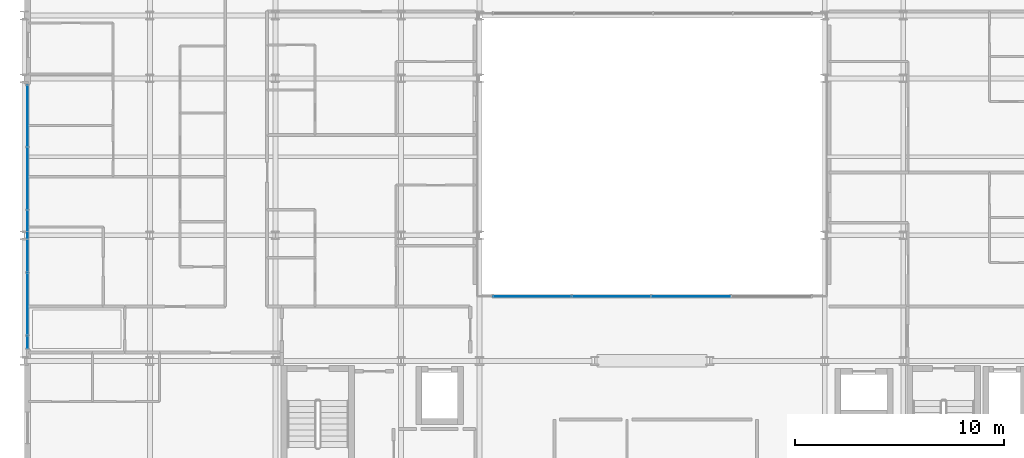
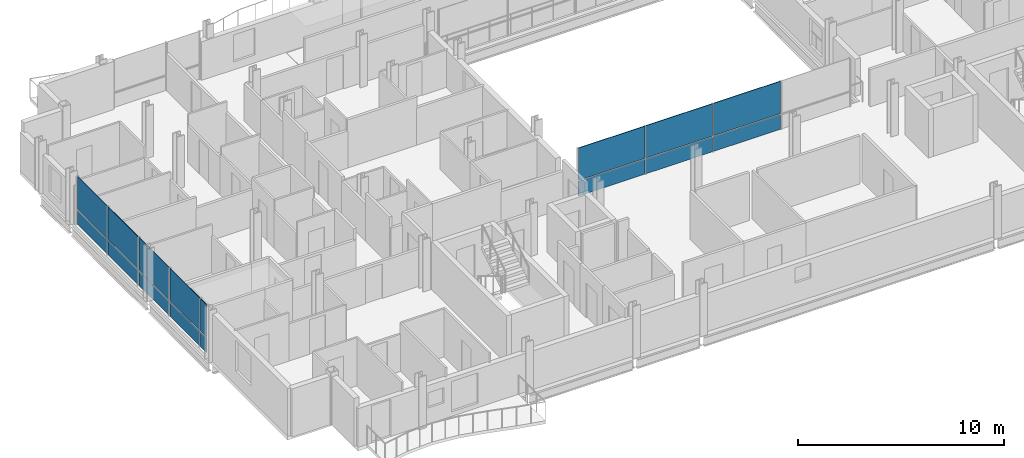
# One storey, part 26 of 40: 16 plates, 2 elements without a shape of their own.
"""IFC4 building model written with IfcOpenShell, lengths in metres."""

from ifc_helpers import new_model, si_unit, direction, frame, origin, origin_2d, place, context, subcontext, project, spatial, rectangle, extrude, material, layer, layer_set, type_object, element, aggregate, save


model = new_model("IFC4")

# Units and contexts
model_context = context("Model", 3, precision=1e-05, world=origin(), true_north=direction((0.0, 1.0)))
body_context = subcontext(model_context, "Body", "Model", "MODEL_VIEW")
ifc_project = project(units=[si_unit("LENGTHUNIT", "METRE"), si_unit("AREAUNIT", "SQUARE_METRE"), si_unit("VOLUMEUNIT", "CUBIC_METRE"), si_unit("PLANEANGLEUNIT", "RADIAN"), si_unit("MASSUNIT", "GRAM", prefix="KILO")], contexts=[model_context])

# Site, building, storey
site_placement = place(None, origin())
site = spatial("IfcSite", under=ifc_project, at=site_placement, CompositionType="ELEMENT")
building_placement = place(site_placement, origin())
building = spatial("IfcBuilding", under=site, at=building_placement, Name="Brevholm Reach", CompositionType="ELEMENT")
storey_placement = place(building_placement, frame((0.0, 0.0, 131.39990234375)))
storey = spatial("IfcBuildingStorey", under=building, at=storey_placement, Name="L39", CompositionType="ELEMENT", Elevation=131.39990234375)

# Curtain wall, plates
ifc_material_1 = material(Name="Dark Anodised Aluminium 6063-T6 and Solar-Control Glass", Category="aluminium")
ifc_layer_1 = layer(ifc_material_1, 0.14990234375)
ifc_layer_set_1 = layer_set([ifc_layer_1], Name="Dark Anodised Aluminium 6063-T6 and Solar-Control Glass")
curtain_wall_type_1 = type_object("IfcCurtainWallType", Name="CW-01", PredefinedType="NOTDEFINED", material=ifc_layer_set_1)
curtain_wall_1_placement = place(storey_placement, origin())
curtain_wall_1 = element("IfcCurtainWall", 1, at=curtain_wall_1_placement, inside=storey, type_object=curtain_wall_type_1, Name="L39 Curtain Wall CW-01", PredefinedType="NOTDEFINED")
ifc_material_2 = material(Name="Dark Solar-Control Double-Glazed IGU Glass", Category="glass")
ifc_layer_2 = layer(ifc_material_2, 0.028076171875)
ifc_layer_set_2 = layer_set([ifc_layer_2], Name="Dark Solar-Control Double-Glazed IGU Glass")
plate_type_1 = type_object("IfcPlateType", Name="CWP-GLZ-28", PredefinedType="CURTAIN_PANEL", material=ifc_layer_set_2)
plate_1_placement = place(storey_placement, frame((0.14990234375, 21.703857421875, 0.0), z_axis=(0.0, 0.0, 1.0), x_axis=(0.0, -1.0, 0.0)))
plate_1 = element("IfcPlate", 2, at=plate_1_placement, type_object=plate_type_1, Name="CP-01 Glazing Panel 1.1", PredefinedType="CURTAIN_PANEL", context=body_context, shape_type="SweptSolid", body=[
    extrude(rectangle(XDim=2.902587890625, YDim=0.028076171875, at=origin_2d()), origin(), (0.0, 0.0, 1.0), 0.867431640625),
])
plate_2_placement = place(storey_placement, frame((0.14990234375, 21.703857421875, 0.9326171875), z_axis=(0.0, 0.0, 1.0), x_axis=(0.0, -1.0, 0.0)))
plate_2 = element("IfcPlate", 3, at=plate_2_placement, type_object=plate_type_1, Name="CP-01 Glazing Panel 1.2", PredefinedType="CURTAIN_PANEL", context=body_context, shape_type="SweptSolid", body=[
    extrude(rectangle(XDim=2.902587890625, YDim=0.028076171875, at=origin_2d()), origin(), (0.0, 0.0, 1.0), 1.91748046875),
])
plate_3_placement = place(storey_placement, frame((0.14990234375, 18.719970703125, 0.0), z_axis=(0.0, 0.0, 1.0), x_axis=(0.0, -1.0, 0.0)))
plate_3 = element("IfcPlate", 4, at=plate_3_placement, type_object=plate_type_1, Name="CP-01 Glazing Panel 2.1", PredefinedType="CURTAIN_PANEL", context=body_context, shape_type="SweptSolid", body=[
    extrude(rectangle(XDim=2.93505859375, YDim=0.028076171875, at=origin_2d()), origin(), (0.0, 0.0, 1.0), 0.867431640625),
])
plate_4_placement = place(storey_placement, frame((0.14990234375, 18.719970703125, 0.9326171875), z_axis=(0.0, 0.0, 1.0), x_axis=(0.0, -1.0, 0.0)))
plate_4 = element("IfcPlate", 5, at=plate_4_placement, type_object=plate_type_1, Name="CP-01 Glazing Panel 2.2", PredefinedType="CURTAIN_PANEL", context=body_context, shape_type="SweptSolid", body=[
    extrude(rectangle(XDim=2.93505859375, YDim=0.028076171875, at=origin_2d()), origin(), (0.0, 0.0, 1.0), 1.91748046875),
])
plate_5_placement = place(storey_placement, frame((0.14990234375, 15.719970703125, 0.0), z_axis=(0.0, 0.0, 1.0), x_axis=(0.0, -1.0, 0.0)))
plate_5 = element("IfcPlate", 6, at=plate_5_placement, type_object=plate_type_1, Name="CP-01 Glazing Panel 3.1", PredefinedType="CURTAIN_PANEL", context=body_context, shape_type="SweptSolid", body=[
    extrude(rectangle(XDim=2.93505859375, YDim=0.028076171875, at=origin_2d()), origin(), (0.0, 0.0, 1.0), 0.867431640625),
])
plate_6_placement = place(storey_placement, frame((0.14990234375, 15.719970703125, 0.9326171875), z_axis=(0.0, 0.0, 1.0), x_axis=(0.0, -1.0, 0.0)))
plate_6 = element("IfcPlate", 7, at=plate_6_placement, type_object=plate_type_1, Name="CP-01 Glazing Panel 3.2", PredefinedType="CURTAIN_PANEL", context=body_context, shape_type="SweptSolid", body=[
    extrude(rectangle(XDim=2.93505859375, YDim=0.028076171875, at=origin_2d()), origin(), (0.0, 0.0, 1.0), 1.91748046875),
])
plate_7_placement = place(storey_placement, frame((0.14990234375, 12.719970703125, 0.0), z_axis=(0.0, 0.0, 1.0), x_axis=(0.0, -1.0, 0.0)))
plate_7 = element("IfcPlate", 8, at=plate_7_placement, type_object=plate_type_1, Name="CP-01 Glazing Panel 4.1", PredefinedType="CURTAIN_PANEL", context=body_context, shape_type="SweptSolid", body=[
    extrude(rectangle(XDim=2.93505859375, YDim=0.028076171875, at=origin_2d()), origin(), (0.0, 0.0, 1.0), 0.867431640625),
])
plate_8_placement = place(storey_placement, frame((0.14990234375, 12.719970703125, 0.9326171875), z_axis=(0.0, 0.0, 1.0), x_axis=(0.0, -1.0, 0.0)))
plate_8 = element("IfcPlate", 9, at=plate_8_placement, type_object=plate_type_1, Name="CP-01 Glazing Panel 4.2", PredefinedType="CURTAIN_PANEL", context=body_context, shape_type="SweptSolid", body=[
    extrude(rectangle(XDim=2.93505859375, YDim=0.028076171875, at=origin_2d()), origin(), (0.0, 0.0, 1.0), 1.91748046875),
])
plate_9_placement = place(storey_placement, frame((0.14990234375, 10.9013671875, 0.0), z_axis=(0.0, 0.0, 1.0), x_axis=(0.0, -1.0, 0.0)))
plate_9 = element("IfcPlate", 10, at=plate_9_placement, type_object=plate_type_1, Name="CP-01 Glazing Panel 5.1", PredefinedType="CURTAIN_PANEL", context=body_context, shape_type="SweptSolid", body=[
    extrude(rectangle(XDim=0.572509765625, YDim=0.028076171875, at=origin_2d()), origin(), (0.0, 0.0, 1.0), 0.867431640625),
])
plate_10_placement = place(storey_placement, frame((0.14990234375, 10.9013671875, 0.9326171875), z_axis=(0.0, 0.0, 1.0), x_axis=(0.0, -1.0, 0.0)))
plate_10 = element("IfcPlate", 11, at=plate_10_placement, type_object=plate_type_1, Name="CP-01 Glazing Panel 5.2", PredefinedType="CURTAIN_PANEL", context=body_context, shape_type="SweptSolid", body=[
    extrude(rectangle(XDim=0.572509765625, YDim=0.028076171875, at=origin_2d()), origin(), (0.0, 0.0, 1.0), 1.91748046875),
])
aggregate(curtain_wall_1, [plate_1, plate_2, plate_3, plate_4, plate_5, plate_6, plate_7, plate_8, plate_9, plate_10])

ifc_material_3 = material(Name="Dark Anodised Aluminium 6063-T6 and Solar-Control Glass", Category="aluminium")
ifc_layer_3 = layer(ifc_material_3, 0.139892578125)
ifc_layer_set_3 = layer_set([ifc_layer_3], Name="Dark Anodised Aluminium 6063-T6 and Solar-Control Glass")
curtain_wall_type_2 = type_object("IfcCurtainWallType", Name="CW-02", PredefinedType="NOTDEFINED", material=ifc_layer_set_3)
curtain_wall_2_placement = place(storey_placement, origin())
curtain_wall_2 = element("IfcCurtainWall", 12, at=curtain_wall_2_placement, inside=storey, type_object=curtain_wall_type_2, Name="L39 Curtain Wall CW-02", PredefinedType="NOTDEFINED")
ifc_material_4 = material(Name="Low-Iron Laminated Acoustic Glass", Category="glass")
ifc_layer_4 = layer(ifc_material_4, 0.035888671875)
ifc_layer_set_4 = layer_set([ifc_layer_4], Name="Low-Iron Laminated Acoustic Glass")
plate_type_2 = type_object("IfcPlateType", Name="CWP-GLZ-36", PredefinedType="CURTAIN_PANEL", material=ifc_layer_set_4)
plate_11_placement = place(storey_placement, frame((24.264892578125, 13.080078125, 0.0), z_axis=(0.0, 0.0, 1.0), x_axis=(1.0, 0.0, 0.0)))
plate_11 = element("IfcPlate", 13, at=plate_11_placement, type_object=plate_type_2, Name="CP-02 Glazing Panel 1.1", PredefinedType="CURTAIN_PANEL", context=body_context, shape_type="SweptSolid", body=[
    extrude(rectangle(XDim=3.7099609375, YDim=0.035888671875, at=origin_2d()), origin(), (0.0, 0.0, 1.0), 0.8701171875),
])
plate_12_placement = place(storey_placement, frame((24.264892578125, 13.080078125, 0.93017578125), z_axis=(0.0, 0.0, 1.0), x_axis=(1.0, 0.0, 0.0)))
plate_12 = element("IfcPlate", 14, at=plate_12_placement, type_object=plate_type_2, Name="CP-02 Glazing Panel 1.2", PredefinedType="CURTAIN_PANEL", context=body_context, shape_type="SweptSolid", body=[
    extrude(rectangle(XDim=3.7099609375, YDim=0.035888671875, at=origin_2d()), origin(), (0.0, 0.0, 1.0), 1.919921875),
])
plate_13_placement = place(storey_placement, frame((28.050048828125, 13.080078125, 0.0), z_axis=(0.0, 0.0, 1.0), x_axis=(1.0, 0.0, 0.0)))
plate_13 = element("IfcPlate", 15, at=plate_13_placement, type_object=plate_type_2, Name="CP-02 Glazing Panel 2.1", PredefinedType="CURTAIN_PANEL", context=body_context, shape_type="SweptSolid", body=[
    extrude(rectangle(XDim=3.739990234375, YDim=0.035888671875, at=origin_2d()), origin(), (0.0, 0.0, 1.0), 0.8701171875),
])
plate_14_placement = place(storey_placement, frame((28.050048828125, 13.080078125, 0.93017578125), z_axis=(0.0, 0.0, 1.0), x_axis=(1.0, 0.0, 0.0)))
plate_14 = element("IfcPlate", 16, at=plate_14_placement, type_object=plate_type_2, Name="CP-02 Glazing Panel 2.2", PredefinedType="CURTAIN_PANEL", context=body_context, shape_type="SweptSolid", body=[
    extrude(rectangle(XDim=3.739990234375, YDim=0.035888671875, at=origin_2d()), origin(), (0.0, 0.0, 1.0), 1.919921875),
])
plate_15_placement = place(storey_placement, frame((31.85009765625, 13.080078125, 0.0), z_axis=(0.0, 0.0, 1.0), x_axis=(1.0, 0.0, 0.0)))
plate_15 = element("IfcPlate", 17, at=plate_15_placement, type_object=plate_type_2, Name="CP-02 Glazing Panel 3.1", PredefinedType="CURTAIN_PANEL", context=body_context, shape_type="SweptSolid", body=[
    extrude(rectangle(XDim=3.739990234375, YDim=0.035888671875, at=origin_2d()), origin(), (0.0, 0.0, 1.0), 0.8701171875),
])
plate_16_placement = place(storey_placement, frame((31.85009765625, 13.080078125, 0.93017578125), z_axis=(0.0, 0.0, 1.0), x_axis=(1.0, 0.0, 0.0)))
plate_16 = element("IfcPlate", 18, at=plate_16_placement, type_object=plate_type_2, Name="CP-02 Glazing Panel 3.2", PredefinedType="CURTAIN_PANEL", context=body_context, shape_type="SweptSolid", body=[
    extrude(rectangle(XDim=3.739990234375, YDim=0.035888671875, at=origin_2d()), origin(), (0.0, 0.0, 1.0), 1.919921875),
])
aggregate(curtain_wall_2, [plate_11, plate_12, plate_13, plate_14, plate_15, plate_16])

save(model, "model.ifc")
